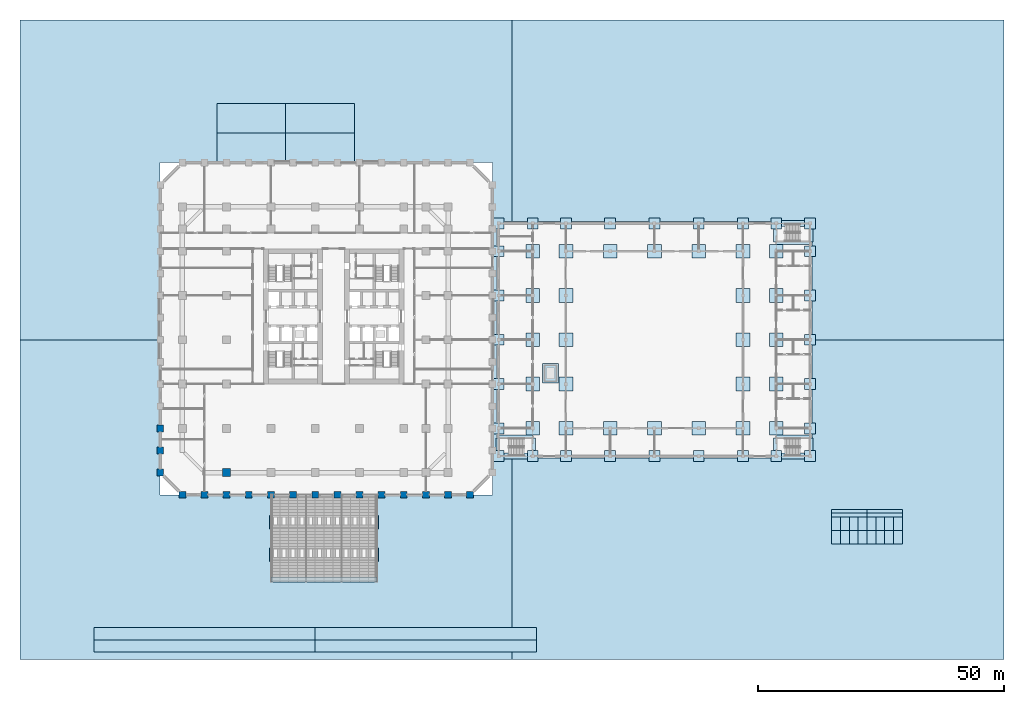
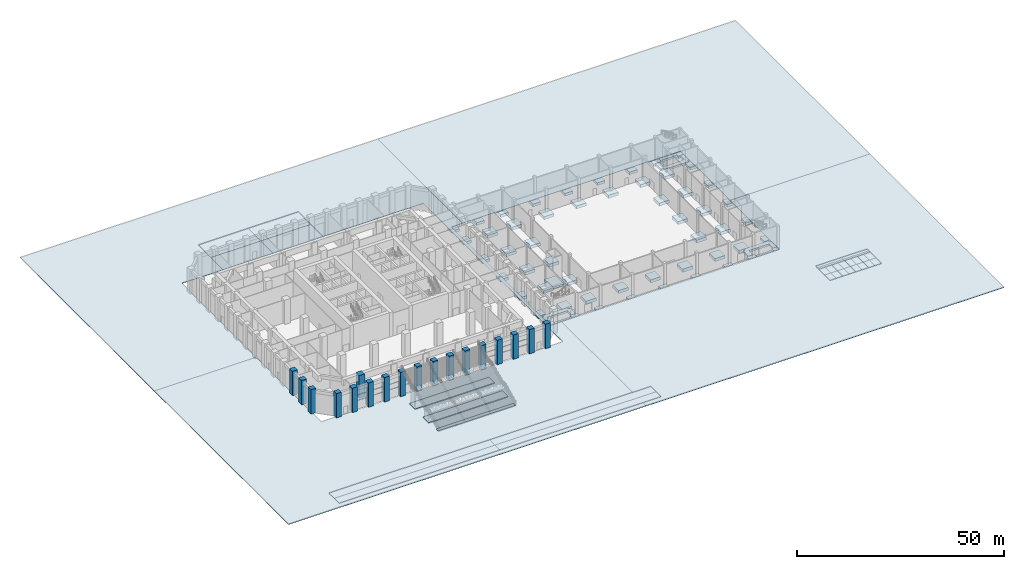
# One storey, part 1 of 30: 96 footings, 18 columns.
"""IFC4 building model written with IfcOpenShell, lengths in metres."""

from ifc_helpers import new_model, si_unit, direction, frame, origin, origin_2d, place, context, subcontext, project, spatial, polyline, rectangle, outline, extrude, material, material_profile, profile_set, type_object, element, save


model = new_model("IFC4")

# Units and contexts
model_context = context("Model", 3, precision=1e-05, world=origin(), true_north=direction((0.0, 1.0)))
body_context = subcontext(model_context, "Body", "Model", "MODEL_VIEW")
ifc_project = project(units=[si_unit("LENGTHUNIT", "METRE"), si_unit("AREAUNIT", "SQUARE_METRE"), si_unit("VOLUMEUNIT", "CUBIC_METRE"), si_unit("PLANEANGLEUNIT", "RADIAN"), si_unit("MASSUNIT", "GRAM", prefix="KILO")], contexts=[model_context])

# Site, building, storey
site_placement = place(None, origin())
site = spatial("IfcSite", under=ifc_project, at=site_placement, CompositionType="ELEMENT")
building_placement = place(site_placement, origin())
building = spatial("IfcBuilding", under=site, at=building_placement, Name="Corbel Stack Research Tower", CompositionType="ELEMENT")
storey_placement = place(building_placement, origin())
storey = spatial("IfcBuildingStorey", under=building, at=storey_placement, Name="L00", CompositionType="ELEMENT", Elevation=0.0)

# Footings
ifc_material_1 = material(Name="Concrete C30/37", Category="concrete")
footing_type_1 = type_object("IfcFootingType", Name="HF1 pad footing 2800 x 2800", PredefinedType="PAD_FOOTING", material=ifc_material_1)
for number, where, z_axis, x_axis, name in (
    (1, (44.199951171875, -18.0, -1.199951171875), (0.0, 0.0, 1.0), (1.0, 0.0, 0.0), "Pad footing H2/HB"),
    (2, (44.199951171875, -9.0, -1.199951171875), (0.0, 0.0, 1.0), (1.0, 0.0, 0.0), "Pad footing H2/HC"),
    (3, (44.199951171875, 0.0, -1.199951171875), (0.0, 0.0, 1.0), (1.0, 0.0, 0.0), "Pad footing H2/HD"),
    (4, (44.199951171875, 9.0, -1.199951171875), (0.0, 0.0, 1.0), (1.0, 0.0, 0.0), "Pad footing H2/HE"),
    (5, (44.199951171875, 18.0, -1.199951171875), (0.0, 0.0, 1.0), (1.0, 0.0, 0.0), "Pad footing H2/HF"),
    (6, (50.949951171875, -18.0, -1.199951171875), (0.0, 0.0, 1.0), (1.0, 0.0, 0.0), "Pad footing H3/HB"),
    (7, (50.949951171875, -9.0, -1.199951171875), (0.0, 0.0, 1.0), (1.0, 0.0, 0.0), "Pad footing H3/HC"),
    (8, (50.949951171875, 0.0, -1.199951171875), (0.0, 0.0, 1.0), (1.0, 0.0, 0.0), "Pad footing H3/HD"),
    (9, (50.949951171875, 9.0, -1.199951171875), (0.0, 0.0, 1.0), (1.0, 0.0, 0.0), "Pad footing H3/HE"),
    (10, (50.949951171875, 18.0, -1.199951171875), (0.0, 0.0, 1.0), (1.0, 0.0, 0.0), "Pad footing H3/HF"),
    (11, (59.949951171875, -18.0, -1.199951171875), (0.0, 0.0, 1.0), (1.0, 0.0, 0.0), "Pad footing H4/HB"),
    (12, (59.949951171875, 18.0, -1.199951171875), (0.0, 0.0, 1.0), (1.0, 0.0, 0.0), "Pad footing H4/HF"),
    (13, (68.949951171875, -18.0, -1.199951171875), (0.0, 0.0, 1.0), (1.0, 0.0, 0.0), "Pad footing H5/HB"),
    (14, (68.949951171875, 18.0, -1.199951171875), (0.0, 0.0, 1.0), (1.0, 0.0, 0.0), "Pad footing H5/HF"),
    (15, (77.949951171875, -18.0, -1.199951171875), (0.0, 0.0, 1.0), (1.0, 0.0, 0.0), "Pad footing H6/HB"),
    (16, (77.949951171875, 18.0, -1.199951171875), (0.0, 0.0, 1.0), (1.0, 0.0, 0.0), "Pad footing H6/HF"),
    (17, (86.949951171875, -18.0, -1.199951171875), (0.0, 0.0, 1.0), (1.0, 0.0, 0.0), "Pad footing H7/HB"),
    (18, (86.949951171875, -9.0, -1.199951171875), (0.0, 0.0, 1.0), (1.0, 0.0, 0.0), "Pad footing H7/HC"),
    (19, (86.949951171875, 0.0, -1.199951171875), (0.0, 0.0, 1.0), (1.0, 0.0, 0.0), "Pad footing H7/HD"),
    (20, (86.949951171875, 9.0, -1.199951171875), (0.0, 0.0, 1.0), (1.0, 0.0, 0.0), "Pad footing H7/HE"),
    (21, (86.949951171875, 18.0, -1.199951171875), (0.0, 0.0, 1.0), (1.0, 0.0, 0.0), "Pad footing H7/HF"),
    (22, (93.699951171875, -18.0, -1.199951171875), (0.0, 0.0, 1.0), (1.0, 0.0, 0.0), "Pad footing H8/HB"),
    (23, (93.699951171875, -9.0, -1.199951171875), (0.0, 0.0, 1.0), (1.0, 0.0, 0.0), "Pad footing H8/HC"),
    (24, (93.699951171875, 0.0, -1.199951171875), (0.0, 0.0, 1.0), (1.0, 0.0, 0.0), "Pad footing H8/HD"),
    (25, (93.699951171875, 9.0, -1.199951171875), (0.0, 0.0, 1.0), (1.0, 0.0, 0.0), "Pad footing H8/HE"),
    (26, (93.699951171875, 18.0, -1.199951171875), (0.0, 0.0, 1.0), (1.0, 0.0, 0.0), "Pad footing H8/HF"),
):
    element("IfcFooting", number, at=place(storey_placement, frame(where, z_axis=z_axis, x_axis=x_axis)), inside=storey, type_object=footing_type_1, Name=name, PredefinedType="PAD_FOOTING", context=body_context, shape_type="SweptSolid", body=[
        extrude(rectangle(XDim=2.800048828125, YDim=2.800048828125, at=origin_2d()), origin(), (0.0, 0.0, 1.0), 0.89990234375),
    ])
ifc_material_2 = material(Name="Concrete C30/37", Category="concrete")
footing_type_2 = type_object("IfcFootingType", Name="HF2 pad footing 2200 x 2200", PredefinedType="PAD_FOOTING", material=ifc_material_2)
for number, where, z_axis, x_axis, name in (
    (27, (37.300048828125, -23.64990234375, -1.10009765625), (0.0, 0.0, 1.0), (1.0, 0.0, 0.0), "Pad footing H1/HA"),
    (28, (37.300048828125, -18.0, -1.10009765625), (0.0, 0.0, 1.0), (1.0, 0.0, 0.0), "Pad footing H1/HB"),
    (29, (37.300048828125, -9.0, -1.10009765625), (0.0, 0.0, 1.0), (1.0, 0.0, 0.0), "Pad footing H1/HC"),
    (30, (37.300048828125, 0.0, -1.10009765625), (0.0, 0.0, 1.0), (1.0, 0.0, 0.0), "Pad footing H1/HD"),
    (31, (37.300048828125, 9.0, -1.10009765625), (0.0, 0.0, 1.0), (1.0, 0.0, 0.0), "Pad footing H1/HE"),
    (32, (37.300048828125, 18.0, -1.10009765625), (0.0, 0.0, 1.0), (1.0, 0.0, 0.0), "Pad footing H1/HF"),
    (33, (37.300048828125, 23.64990234375, -1.10009765625), (0.0, 0.0, 1.0), (1.0, 0.0, 0.0), "Pad footing H1/HG"),
    (34, (44.199951171875, -23.64990234375, -1.10009765625), (0.0, 0.0, 1.0), (1.0, 0.0, 0.0), "Pad footing H2/HA"),
    (35, (44.199951171875, 23.64990234375, -1.10009765625), (0.0, 0.0, 1.0), (1.0, 0.0, 0.0), "Pad footing H2/HG"),
    (36, (50.949951171875, -23.64990234375, -1.10009765625), (0.0, 0.0, 1.0), (1.0, 0.0, 0.0), "Pad footing H3/HA"),
    (37, (50.949951171875, 23.64990234375, -1.10009765625), (0.0, 0.0, 1.0), (1.0, 0.0, 0.0), "Pad footing H3/HG"),
    (38, (59.949951171875, -23.64990234375, -1.10009765625), (0.0, 0.0, 1.0), (1.0, 0.0, 0.0), "Pad footing H4/HA"),
    (39, (59.949951171875, 23.64990234375, -1.10009765625), (0.0, 0.0, 1.0), (1.0, 0.0, 0.0), "Pad footing H4/HG"),
    (40, (68.949951171875, -23.64990234375, -1.10009765625), (0.0, 0.0, 1.0), (1.0, 0.0, 0.0), "Pad footing H5/HA"),
    (41, (68.949951171875, 23.64990234375, -1.10009765625), (0.0, 0.0, 1.0), (1.0, 0.0, 0.0), "Pad footing H5/HG"),
    (42, (77.949951171875, -23.64990234375, -1.10009765625), (0.0, 0.0, 1.0), (1.0, 0.0, 0.0), "Pad footing H6/HA"),
    (43, (77.949951171875, 23.64990234375, -1.10009765625), (0.0, 0.0, 1.0), (1.0, 0.0, 0.0), "Pad footing H6/HG"),
    (44, (86.949951171875, -23.64990234375, -1.10009765625), (0.0, 0.0, 1.0), (1.0, 0.0, 0.0), "Pad footing H7/HA"),
    (45, (86.949951171875, 23.64990234375, -1.10009765625), (0.0, 0.0, 1.0), (1.0, 0.0, 0.0), "Pad footing H7/HG"),
    (46, (93.699951171875, -23.64990234375, -1.10009765625), (0.0, 0.0, 1.0), (1.0, 0.0, 0.0), "Pad footing H8/HA"),
    (47, (93.699951171875, 23.64990234375, -1.10009765625), (0.0, 0.0, 1.0), (1.0, 0.0, 0.0), "Pad footing H8/HG"),
    (48, (100.60009765625, -23.64990234375, -1.10009765625), (0.0, 0.0, 1.0), (1.0, 0.0, 0.0), "Pad footing H9/HA"),
    (49, (100.60009765625, -18.0, -1.10009765625), (0.0, 0.0, 1.0), (1.0, 0.0, 0.0), "Pad footing H9/HB"),
    (50, (100.60009765625, -9.0, -1.10009765625), (0.0, 0.0, 1.0), (1.0, 0.0, 0.0), "Pad footing H9/HC"),
    (51, (100.60009765625, 0.0, -1.10009765625), (0.0, 0.0, 1.0), (1.0, 0.0, 0.0), "Pad footing H9/HD"),
    (52, (100.60009765625, 9.0, -1.10009765625), (0.0, 0.0, 1.0), (1.0, 0.0, 0.0), "Pad footing H9/HE"),
    (53, (100.60009765625, 18.0, -1.10009765625), (0.0, 0.0, 1.0), (1.0, 0.0, 0.0), "Pad footing H9/HF"),
    (54, (100.60009765625, 23.64990234375, -1.10009765625), (0.0, 0.0, 1.0), (1.0, 0.0, 0.0), "Pad footing H9/HG"),
):
    element("IfcFooting", number, at=place(storey_placement, frame(where, z_axis=z_axis, x_axis=x_axis)), inside=storey, type_object=footing_type_2, Name=name, PredefinedType="PAD_FOOTING", context=body_context, shape_type="SweptSolid", body=[
        extrude(rectangle(XDim=2.199951171875, YDim=2.199951171875, at=origin_2d()), origin(), (0.0, 0.0, 1.0), 0.800048828125),
    ])
footing_1_placement = place(storey_placement, frame((47.824951171875, -6.800048828125, -2.0), z_axis=(0.0, 0.0, 1.0), x_axis=(1.0, 0.0, 0.0)))
element("IfcFooting", 55, at=footing_1_placement, inside=storey, type_object=footing_type_2, Name="Lift pit footing", PredefinedType="PAD_FOOTING", context=body_context, shape_type="SweptSolid", body=[
    extrude(rectangle(XDim=3.300048828125, YDim=4.050048828125, at=origin_2d()), origin(), (0.0, 0.0, 1.0), 0.5),
])
ifc_material_3 = material(Name="Concrete C30/37", Category="concrete")
footing_type_3 = type_object("IfcFootingType", Name="HF3 strip footing 1200", PredefinedType="STRIP_FOOTING", material=ifc_material_3)
footing_2_placement = place(storey_placement, frame((0.0, 0.0, -0.89990234375)))
element("IfcFooting", 56, at=footing_2_placement, inside=storey, type_object=footing_type_3, Name="Strip footing under core walls 1", PredefinedType="STRIP_FOOTING", context=body_context, shape_type="SweptSolid", body=[
    extrude(outline(polyline([(36.699951171875, -19.925048828125), (37.300048828125, -19.925048828125), (37.300048828125, -19.324951171875), (42.800048828125, -19.324951171875), (42.800048828125, -19.39990234375), (44.199951171875, -19.39990234375), (44.199951171875, -19.925048828125), (44.800048828125, -19.925048828125), (44.800048828125, -22.550048828125), (43.60009765625, -22.550048828125), (43.60009765625, -20.52490234375), (37.89990234375, -20.52490234375), (37.89990234375, -22.550048828125), (36.699951171875, -22.550048828125), (36.699951171875, -19.925048828125)])), origin(), (0.0, 0.0, 1.0), 0.599853515625),
])
footing_3_placement = place(storey_placement, frame((0.0, 0.0, -0.89990234375)))
element("IfcFooting", 57, at=footing_3_placement, inside=storey, type_object=footing_type_3, Name="Strip footing under core walls 2", PredefinedType="STRIP_FOOTING", context=body_context, shape_type="SweptSolid", body=[
    extrude(outline(polyline([(38.39990234375, -24.25), (38.39990234375, -23.050048828125), (43.10009765625, -23.050048828125), (43.10009765625, -24.25), (38.39990234375, -24.25)])), origin(), (0.0, 0.0, 1.0), 0.599853515625),
])
footing_4_placement = place(storey_placement, frame((0.0, 0.0, -0.89990234375)))
element("IfcFooting", 58, at=footing_4_placement, inside=storey, type_object=footing_type_3, Name="Strip footing under core walls 3", PredefinedType="STRIP_FOOTING", context=body_context, shape_type="SweptSolid", body=[
    extrude(outline(polyline([(93.10009765625, -19.925048828125), (93.699951171875, -19.925048828125), (93.699951171875, -19.39990234375), (95.10009765625, -19.39990234375), (95.10009765625, -19.324951171875), (100.60009765625, -19.324951171875), (100.60009765625, -19.925048828125), (101.199951171875, -19.925048828125), (101.199951171875, -22.550048828125), (100.0, -22.550048828125), (100.0, -20.52490234375), (94.300048828125, -20.52490234375), (94.300048828125, -22.550048828125), (93.10009765625, -22.550048828125), (93.10009765625, -19.925048828125)])), origin(), (0.0, 0.0, 1.0), 0.599853515625),
])
footing_5_placement = place(storey_placement, frame((0.0, 0.0, -0.89990234375)))
element("IfcFooting", 59, at=footing_5_placement, inside=storey, type_object=footing_type_3, Name="Strip footing under core walls 4", PredefinedType="STRIP_FOOTING", context=body_context, shape_type="SweptSolid", body=[
    extrude(outline(polyline([(94.800048828125, -24.25), (94.800048828125, -23.050048828125), (99.5, -23.050048828125), (99.5, -24.25), (94.800048828125, -24.25)])), origin(), (0.0, 0.0, 1.0), 0.599853515625),
])
footing_6_placement = place(storey_placement, frame((0.0, 0.0, -0.89990234375)))
element("IfcFooting", 60, at=footing_6_placement, inside=storey, type_object=footing_type_3, Name="Strip footing under core walls 5", PredefinedType="STRIP_FOOTING", context=body_context, shape_type="SweptSolid", body=[
    extrude(outline(polyline([(99.5, 24.25), (99.5, 23.050048828125), (94.800048828125, 23.050048828125), (94.800048828125, 24.25), (99.5, 24.25)])), origin(), (0.0, 0.0, 1.0), 0.599853515625),
])
footing_7_placement = place(storey_placement, frame((0.0, 0.0, -0.89990234375)))
element("IfcFooting", 61, at=footing_7_placement, inside=storey, type_object=footing_type_3, Name="Strip footing under core walls 6", PredefinedType="STRIP_FOOTING", context=body_context, shape_type="SweptSolid", body=[
    extrude(outline(polyline([(101.199951171875, 19.925048828125), (100.60009765625, 19.925048828125), (100.60009765625, 19.324951171875), (95.10009765625, 19.324951171875), (95.10009765625, 19.39990234375), (93.699951171875, 19.39990234375), (93.699951171875, 19.925048828125), (93.10009765625, 19.925048828125), (93.10009765625, 22.550048828125), (94.300048828125, 22.550048828125), (94.300048828125, 20.52490234375), (100.0, 20.52490234375), (100.0, 22.550048828125), (101.199951171875, 22.550048828125), (101.199951171875, 19.925048828125)])), origin(), (0.0, 0.0, 1.0), 0.599853515625),
])
ifc_material_4 = material(Name="Concrete C30/37", Category="concrete")
footing_type_4 = type_object("IfcFootingType", Name="SF1 stair support footing", PredefinedType="STRIP_FOOTING", material=ifc_material_4)
footing_8_placement = place(storey_placement, frame((0.0, 0.0, -0.800048828125)))
element("IfcFooting", 62, at=footing_8_placement, inside=storey, type_object=footing_type_4, Name="Garden stair toe footing", PredefinedType="STRIP_FOOTING", context=body_context, shape_type="SweptSolid", body=[
    extrude(outline(polyline([(-9.0, -49.199951171875), (12.60009765625, -49.199951171875), (12.60009765625, -48.199951171875), (-9.0, -48.199951171875), (-9.0, -49.199951171875)])), origin(), (0.0, 0.0, 1.0), 0.800048828125),
])
footing_9_placement = place(storey_placement, frame((0.0, 0.0, -0.800048828125)))
element("IfcFooting", 63, at=footing_9_placement, inside=storey, type_object=footing_type_4, Name="Garden stair support footing 1", PredefinedType="STRIP_FOOTING", context=body_context, shape_type="SweptSolid", body=[
    extrude(outline(polyline([(-9.300048828125, -45.030029296875), (12.89990234375, -45.030029296875), (12.89990234375, -42.27001953125), (-9.300048828125, -42.27001953125), (-9.300048828125, -45.030029296875)])), origin(), (0.0, 0.0, 1.0), 0.800048828125),
])
footing_10_placement = place(storey_placement, frame((0.0, 0.0, -0.800048828125)))
element("IfcFooting", 64, at=footing_10_placement, inside=storey, type_object=footing_type_4, Name="Garden stair support footing 2", PredefinedType="STRIP_FOOTING", context=body_context, shape_type="SweptSolid", body=[
    extrude(outline(polyline([(-9.300048828125, -38.429931640625), (12.89990234375, -38.429931640625), (12.89990234375, -35.669921875), (-9.300048828125, -35.669921875), (-9.300048828125, -38.429931640625)])), origin(), (0.0, 0.0, 1.0), 0.800048828125),
])
ifc_material_5 = material(Name="Concrete C20/25", Category="concrete")
footing_type_5 = type_object("IfcFootingType", Name="SF2 paving sub-base 100", PredefinedType="PAD_FOOTING", material=ifc_material_5)
footing_11_placement = place(storey_placement, frame((0.0, 0.0, -0.300048828125)))
element("IfcFooting", 65, at=footing_11_placement, inside=storey, type_object=footing_type_5, Name="Paving sub-base Plaza paving 1", PredefinedType="PAD_FOOTING", context=body_context, shape_type="SweptSolid", body=[
    extrude(outline(polyline([(40.0, -65.0), (-60.0, -65.0), (-60.0, 0.0), (-31.5, 0.0), (-31.5, -31.5), (36.0, -31.5), (36.0, 0.0), (36.89990234375, 0.0), (36.89990234375, -24.0), (36.949951171875, -24.0), (40.0, -24.0), (40.0, -58.5), (-45.0, -58.5), (-45.0, -63.5), (40.0, -63.5), (40.0, -65.0)]), holes=[polyline([(-9.300048828125, -45.030029296875), (12.89990234375, -45.030029296875), (12.89990234375, -42.27001953125), (-9.300048828125, -42.27001953125), (-9.300048828125, -45.030029296875)]), polyline([(-9.300048828125, -38.429931640625), (12.89990234375, -38.429931640625), (12.89990234375, -35.669921875), (-9.300048828125, -35.669921875), (-9.300048828125, -38.429931640625)]), polyline([(-9.0, -49.199951171875), (12.60009765625, -49.199951171875), (12.60009765625, -48.199951171875), (-9.0, -48.199951171875), (-9.0, -49.199951171875)])]), origin(), (0.0, 0.0, 1.0), 0.10009765625),
])
footing_12_placement = place(storey_placement, frame((0.0, 0.0, -0.300048828125)))
element("IfcFooting", 66, at=footing_12_placement, inside=storey, type_object=footing_type_5, Name="Paving sub-base Plaza paving 2", PredefinedType="PAD_FOOTING", context=body_context, shape_type="SweptSolid", body=[
    extrude(outline(polyline([(40.0, 24.0), (36.949951171875, 24.0), (36.89990234375, 24.0), (36.89990234375, 0.0), (36.0, 0.0), (36.0, 36.0), (8.0, 36.0), (8.0, 48.0), (-20.0, 48.0), (-20.0, 36.0), (-31.5, 36.0), (-31.5, 0.0), (-60.0, 0.0), (-60.0, 65.0), (40.0, 65.0), (40.0, 24.0)])), origin(), (0.0, 0.0, 1.0), 0.10009765625),
])
footing_13_placement = place(storey_placement, frame((0.0, 0.0, -0.300048828125)))
element("IfcFooting", 67, at=footing_13_placement, inside=storey, type_object=footing_type_5, Name="Paving sub-base Plaza paving 3", PredefinedType="PAD_FOOTING", context=body_context, shape_type="SweptSolid", body=[
    extrude(outline(polyline([(140.0, -65.0), (40.0, -65.0), (40.0, -63.5), (45.0, -63.5), (45.0, -58.5), (40.0, -58.5), (40.0, -24.0), (100.949951171875, -24.0), (100.949951171875, 0.0), (140.0, 0.0), (140.0, -65.0)]), holes=[polyline([(115.75, -41.5), (119.35009765625, -41.5), (119.35009765625, -36.0), (119.35009765625, -34.5), (104.949951171875, -34.5), (104.949951171875, -36.0), (104.949951171875, -41.5), (108.550048828125, -41.5), (112.14990234375, -41.5), (115.75, -41.5)])]), origin(), (0.0, 0.0, 1.0), 0.10009765625),
])
footing_14_placement = place(storey_placement, frame((0.0, 0.0, -0.300048828125)))
element("IfcFooting", 68, at=footing_14_placement, inside=storey, type_object=footing_type_5, Name="Paving sub-base Plaza paving 4", PredefinedType="PAD_FOOTING", context=body_context, shape_type="SweptSolid", body=[
    extrude(outline(polyline([(140.0, 0.0), (100.949951171875, 0.0), (100.949951171875, 24.0), (40.0, 24.0), (40.0, 65.0), (140.0, 65.0), (140.0, 0.0)])), origin(), (0.0, 0.0, 1.0), 0.10009765625),
])
footing_15_placement = place(storey_placement, frame((0.0, 0.0, -0.300048828125)))
element("IfcFooting", 69, at=footing_15_placement, inside=storey, type_object=footing_type_5, Name="Paving sub-base Accessible bay 1 1", PredefinedType="PAD_FOOTING", context=body_context, shape_type="SweptSolid", body=[
    extrude(outline(polyline([(106.75, -38.75), (106.75, -41.5), (104.949951171875, -41.5), (104.949951171875, -38.75), (106.75, -38.75)])), origin(), (0.0, 0.0, 1.0), 0.10009765625),
])
footing_16_placement = place(storey_placement, frame((0.0, 0.0, -0.300048828125)))
element("IfcFooting", 70, at=footing_16_placement, inside=storey, type_object=footing_type_5, Name="Paving sub-base Accessible bay 1 2", PredefinedType="PAD_FOOTING", context=body_context, shape_type="SweptSolid", body=[
    extrude(outline(polyline([(106.75, -38.75), (104.949951171875, -38.75), (104.949951171875, -36.0), (106.75, -36.0), (106.75, -38.75)])), origin(), (0.0, 0.0, 1.0), 0.10009765625),
])
footing_17_placement = place(storey_placement, frame((0.0, 0.0, -0.300048828125)))
element("IfcFooting", 71, at=footing_17_placement, inside=storey, type_object=footing_type_5, Name="Paving sub-base Accessible bay 1 3", PredefinedType="PAD_FOOTING", context=body_context, shape_type="SweptSolid", body=[
    extrude(outline(polyline([(108.550048828125, -41.5), (106.75, -41.5), (106.75, -38.75), (108.550048828125, -38.75), (108.550048828125, -41.5)])), origin(), (0.0, 0.0, 1.0), 0.10009765625),
])
footing_18_placement = place(storey_placement, frame((0.0, 0.0, -0.300048828125)))
element("IfcFooting", 72, at=footing_18_placement, inside=storey, type_object=footing_type_5, Name="Paving sub-base Accessible bay 1 4", PredefinedType="PAD_FOOTING", context=body_context, shape_type="SweptSolid", body=[
    extrude(outline(polyline([(108.550048828125, -38.75), (106.75, -38.75), (106.75, -36.0), (108.550048828125, -36.0), (108.550048828125, -38.75)])), origin(), (0.0, 0.0, 1.0), 0.10009765625),
])
footing_19_placement = place(storey_placement, frame((0.0, 0.0, -0.300048828125)))
element("IfcFooting", 73, at=footing_19_placement, inside=storey, type_object=footing_type_5, Name="Paving sub-base Accessible bay 2 1", PredefinedType="PAD_FOOTING", context=body_context, shape_type="SweptSolid", body=[
    extrude(outline(polyline([(110.35009765625, -38.75), (110.35009765625, -41.5), (108.550048828125, -41.5), (108.550048828125, -38.75), (110.35009765625, -38.75)])), origin(), (0.0, 0.0, 1.0), 0.10009765625),
])
footing_20_placement = place(storey_placement, frame((0.0, 0.0, -0.300048828125)))
element("IfcFooting", 74, at=footing_20_placement, inside=storey, type_object=footing_type_5, Name="Paving sub-base Accessible bay 2 2", PredefinedType="PAD_FOOTING", context=body_context, shape_type="SweptSolid", body=[
    extrude(outline(polyline([(110.35009765625, -38.75), (108.550048828125, -38.75), (108.550048828125, -36.0), (110.35009765625, -36.0), (110.35009765625, -38.75)])), origin(), (0.0, 0.0, 1.0), 0.10009765625),
])
footing_21_placement = place(storey_placement, frame((0.0, 0.0, -0.300048828125)))
element("IfcFooting", 75, at=footing_21_placement, inside=storey, type_object=footing_type_5, Name="Paving sub-base Accessible bay 2 3", PredefinedType="PAD_FOOTING", context=body_context, shape_type="SweptSolid", body=[
    extrude(outline(polyline([(112.14990234375, -41.5), (110.35009765625, -41.5), (110.35009765625, -38.75), (112.14990234375, -38.75), (112.14990234375, -41.5)])), origin(), (0.0, 0.0, 1.0), 0.10009765625),
])
footing_22_placement = place(storey_placement, frame((0.0, 0.0, -0.300048828125)))
element("IfcFooting", 76, at=footing_22_placement, inside=storey, type_object=footing_type_5, Name="Paving sub-base Accessible bay 2 4", PredefinedType="PAD_FOOTING", context=body_context, shape_type="SweptSolid", body=[
    extrude(outline(polyline([(112.14990234375, -38.75), (110.35009765625, -38.75), (110.35009765625, -36.0), (112.14990234375, -36.0), (112.14990234375, -38.75)])), origin(), (0.0, 0.0, 1.0), 0.10009765625),
])
footing_23_placement = place(storey_placement, frame((0.0, 0.0, -0.300048828125)))
element("IfcFooting", 77, at=footing_23_placement, inside=storey, type_object=footing_type_5, Name="Paving sub-base Accessible bay 3 1", PredefinedType="PAD_FOOTING", context=body_context, shape_type="SweptSolid", body=[
    extrude(outline(polyline([(113.949951171875, -38.75), (113.949951171875, -41.5), (112.14990234375, -41.5), (112.14990234375, -38.75), (113.949951171875, -38.75)])), origin(), (0.0, 0.0, 1.0), 0.10009765625),
])
footing_24_placement = place(storey_placement, frame((0.0, 0.0, -0.300048828125)))
element("IfcFooting", 78, at=footing_24_placement, inside=storey, type_object=footing_type_5, Name="Paving sub-base Accessible bay 3 2", PredefinedType="PAD_FOOTING", context=body_context, shape_type="SweptSolid", body=[
    extrude(outline(polyline([(113.949951171875, -38.75), (112.14990234375, -38.75), (112.14990234375, -36.0), (113.949951171875, -36.0), (113.949951171875, -38.75)])), origin(), (0.0, 0.0, 1.0), 0.10009765625),
])
footing_25_placement = place(storey_placement, frame((0.0, 0.0, -0.300048828125)))
element("IfcFooting", 79, at=footing_25_placement, inside=storey, type_object=footing_type_5, Name="Paving sub-base Accessible bay 3 3", PredefinedType="PAD_FOOTING", context=body_context, shape_type="SweptSolid", body=[
    extrude(outline(polyline([(115.75, -41.5), (113.949951171875, -41.5), (113.949951171875, -38.75), (115.75, -38.75), (115.75, -41.5)])), origin(), (0.0, 0.0, 1.0), 0.10009765625),
])
footing_26_placement = place(storey_placement, frame((0.0, 0.0, -0.300048828125)))
element("IfcFooting", 80, at=footing_26_placement, inside=storey, type_object=footing_type_5, Name="Paving sub-base Accessible bay 3 4", PredefinedType="PAD_FOOTING", context=body_context, shape_type="SweptSolid", body=[
    extrude(outline(polyline([(115.75, -38.75), (113.949951171875, -38.75), (113.949951171875, -36.0), (115.75, -36.0), (115.75, -38.75)])), origin(), (0.0, 0.0, 1.0), 0.10009765625),
])
footing_27_placement = place(storey_placement, frame((0.0, 0.0, -0.300048828125)))
element("IfcFooting", 81, at=footing_27_placement, inside=storey, type_object=footing_type_5, Name="Paving sub-base Accessible bay 4 1", PredefinedType="PAD_FOOTING", context=body_context, shape_type="SweptSolid", body=[
    extrude(outline(polyline([(117.550048828125, -38.75), (117.550048828125, -41.5), (115.75, -41.5), (115.75, -38.75), (117.550048828125, -38.75)])), origin(), (0.0, 0.0, 1.0), 0.10009765625),
])
footing_28_placement = place(storey_placement, frame((0.0, 0.0, -0.300048828125)))
element("IfcFooting", 82, at=footing_28_placement, inside=storey, type_object=footing_type_5, Name="Paving sub-base Accessible bay 4 2", PredefinedType="PAD_FOOTING", context=body_context, shape_type="SweptSolid", body=[
    extrude(outline(polyline([(117.550048828125, -38.75), (115.75, -38.75), (115.75, -36.0), (117.550048828125, -36.0), (117.550048828125, -38.75)])), origin(), (0.0, 0.0, 1.0), 0.10009765625),
])
footing_29_placement = place(storey_placement, frame((0.0, 0.0, -0.300048828125)))
element("IfcFooting", 83, at=footing_29_placement, inside=storey, type_object=footing_type_5, Name="Paving sub-base Accessible bay 4 3", PredefinedType="PAD_FOOTING", context=body_context, shape_type="SweptSolid", body=[
    extrude(outline(polyline([(119.35009765625, -41.5), (117.550048828125, -41.5), (117.550048828125, -38.75), (119.35009765625, -38.75), (119.35009765625, -41.5)])), origin(), (0.0, 0.0, 1.0), 0.10009765625),
])
footing_30_placement = place(storey_placement, frame((0.0, 0.0, -0.300048828125)))
element("IfcFooting", 84, at=footing_30_placement, inside=storey, type_object=footing_type_5, Name="Paving sub-base Accessible bay 4 4", PredefinedType="PAD_FOOTING", context=body_context, shape_type="SweptSolid", body=[
    extrude(outline(polyline([(119.35009765625, -38.75), (117.550048828125, -38.75), (117.550048828125, -36.0), (119.35009765625, -36.0), (119.35009765625, -38.75)])), origin(), (0.0, 0.0, 1.0), 0.10009765625),
])
footing_31_placement = place(storey_placement, frame((0.0, 0.0, -0.300048828125)))
element("IfcFooting", 85, at=footing_31_placement, inside=storey, type_object=footing_type_5, Name="Paving sub-base Accessible bay access aisle 1", PredefinedType="PAD_FOOTING", context=body_context, shape_type="SweptSolid", body=[
    extrude(outline(polyline([(112.14990234375, -35.25), (112.14990234375, -36.0), (104.949951171875, -36.0), (104.949951171875, -35.25), (112.14990234375, -35.25)])), origin(), (0.0, 0.0, 1.0), 0.10009765625),
])
footing_32_placement = place(storey_placement, frame((0.0, 0.0, -0.300048828125)))
element("IfcFooting", 86, at=footing_32_placement, inside=storey, type_object=footing_type_5, Name="Paving sub-base Accessible bay access aisle 2", PredefinedType="PAD_FOOTING", context=body_context, shape_type="SweptSolid", body=[
    extrude(outline(polyline([(112.14990234375, -35.25), (104.949951171875, -35.25), (104.949951171875, -34.5), (112.14990234375, -34.5), (112.14990234375, -35.25)])), origin(), (0.0, 0.0, 1.0), 0.10009765625),
])
footing_33_placement = place(storey_placement, frame((0.0, 0.0, -0.300048828125)))
element("IfcFooting", 87, at=footing_33_placement, inside=storey, type_object=footing_type_5, Name="Paving sub-base Accessible bay access aisle 3", PredefinedType="PAD_FOOTING", context=body_context, shape_type="SweptSolid", body=[
    extrude(outline(polyline([(119.35009765625, -36.0), (112.14990234375, -36.0), (112.14990234375, -35.25), (119.35009765625, -35.25), (119.35009765625, -36.0)])), origin(), (0.0, 0.0, 1.0), 0.10009765625),
])
footing_34_placement = place(storey_placement, frame((0.0, 0.0, -0.300048828125)))
element("IfcFooting", 88, at=footing_34_placement, inside=storey, type_object=footing_type_5, Name="Paving sub-base Accessible bay access aisle 4", PredefinedType="PAD_FOOTING", context=body_context, shape_type="SweptSolid", body=[
    extrude(outline(polyline([(119.35009765625, -35.25), (112.14990234375, -35.25), (112.14990234375, -34.5), (119.35009765625, -34.5), (119.35009765625, -35.25)])), origin(), (0.0, 0.0, 1.0), 0.10009765625),
])
footing_35_placement = place(storey_placement, frame((0.0, 0.0, -0.300048828125)))
element("IfcFooting", 89, at=footing_35_placement, inside=storey, type_object=footing_type_5, Name="Paving sub-base Drop-off lane 1", PredefinedType="PAD_FOOTING", context=body_context, shape_type="SweptSolid", body=[
    extrude(outline(polyline([(0.0, -61.0), (0.0, -63.5), (-45.0, -63.5), (-45.0, -61.0), (0.0, -61.0)])), origin(), (0.0, 0.0, 1.0), 0.10009765625),
])
footing_36_placement = place(storey_placement, frame((0.0, 0.0, -0.300048828125)))
element("IfcFooting", 90, at=footing_36_placement, inside=storey, type_object=footing_type_5, Name="Paving sub-base Drop-off lane 2", PredefinedType="PAD_FOOTING", context=body_context, shape_type="SweptSolid", body=[
    extrude(outline(polyline([(0.0, -61.0), (-45.0, -61.0), (-45.0, -58.5), (0.0, -58.5), (0.0, -61.0)])), origin(), (0.0, 0.0, 1.0), 0.10009765625),
])
footing_37_placement = place(storey_placement, frame((0.0, 0.0, -0.300048828125)))
element("IfcFooting", 91, at=footing_37_placement, inside=storey, type_object=footing_type_5, Name="Paving sub-base Drop-off lane 3", PredefinedType="PAD_FOOTING", context=body_context, shape_type="SweptSolid", body=[
    extrude(outline(polyline([(45.0, -63.5), (0.0, -63.5), (0.0, -61.0), (45.0, -61.0), (45.0, -63.5)])), origin(), (0.0, 0.0, 1.0), 0.10009765625),
])
footing_38_placement = place(storey_placement, frame((0.0, 0.0, -0.300048828125)))
element("IfcFooting", 92, at=footing_38_placement, inside=storey, type_object=footing_type_5, Name="Paving sub-base Drop-off lane 4", PredefinedType="PAD_FOOTING", context=body_context, shape_type="SweptSolid", body=[
    extrude(outline(polyline([(45.0, -61.0), (0.0, -61.0), (0.0, -58.5), (45.0, -58.5), (45.0, -61.0)])), origin(), (0.0, 0.0, 1.0), 0.10009765625),
])
footing_39_placement = place(storey_placement, frame((0.0, 0.0, -0.300048828125)))
element("IfcFooting", 93, at=footing_39_placement, inside=storey, type_object=footing_type_5, Name="Paving sub-base Loading dock apron 1", PredefinedType="PAD_FOOTING", context=body_context, shape_type="SweptSolid", body=[
    extrude(outline(polyline([(-6.0, 42.0), (-6.0, 36.0), (-20.0, 36.0), (-20.0, 42.0), (-6.0, 42.0)])), origin(), (0.0, 0.0, 1.0), 0.050048828125),
])
footing_40_placement = place(storey_placement, frame((0.0, 0.0, -0.300048828125)))
element("IfcFooting", 94, at=footing_40_placement, inside=storey, type_object=footing_type_5, Name="Paving sub-base Loading dock apron 2", PredefinedType="PAD_FOOTING", context=body_context, shape_type="SweptSolid", body=[
    extrude(outline(polyline([(-6.0, 42.0), (-20.0, 42.0), (-20.0, 48.0), (-6.0, 48.0), (-6.0, 42.0)])), origin(), (0.0, 0.0, 1.0), 0.050048828125),
])
footing_41_placement = place(storey_placement, frame((0.0, 0.0, -0.300048828125)))
element("IfcFooting", 95, at=footing_41_placement, inside=storey, type_object=footing_type_5, Name="Paving sub-base Loading dock apron 3", PredefinedType="PAD_FOOTING", context=body_context, shape_type="SweptSolid", body=[
    extrude(outline(polyline([(8.0, 36.0), (-6.0, 36.0), (-6.0, 42.0), (8.0, 42.0), (8.0, 36.0)])), origin(), (0.0, 0.0, 1.0), 0.050048828125),
])
footing_42_placement = place(storey_placement, frame((0.0, 0.0, -0.300048828125)))
element("IfcFooting", 96, at=footing_42_placement, inside=storey, type_object=footing_type_5, Name="Paving sub-base Loading dock apron 4", PredefinedType="PAD_FOOTING", context=body_context, shape_type="SweptSolid", body=[
    extrude(outline(polyline([(8.0, 42.0), (-6.0, 42.0), (-6.0, 48.0), (8.0, 48.0), (8.0, 42.0)])), origin(), (0.0, 0.0, 1.0), 0.050048828125),
])

# Columns
ifc_material_6 = material(Name="Concrete C70/85", Category="concrete")
ifc_material_profile_1 = material_profile(ifc_material_6, rectangle(XDim=1.39990234375, YDim=1.39990234375, at=origin_2d()), Name="RC 1400 x 1400")
ifc_profile_set_1 = profile_set([ifc_material_profile_1], Name="Concrete C70/85")
column_type_1 = type_object("IfcColumnType", Name="C-1400-70", PredefinedType="COLUMN", material=ifc_profile_set_1)
for number, where, z_axis, x_axis, name in (
    (97, (-31.5, -27.0, 0.0), (0.0, 0.0, 1.0), (1.0, 0.0, 0.0), "Column 1/B L00"),
    (98, (-31.5, -22.5, 0.0), (0.0, 0.0, 1.0), (1.0, 0.0, 0.0), "Column 1/C L00"),
    (99, (-31.5, -18.0, 0.0), (0.0, 0.0, 1.0), (1.0, 0.0, 0.0), "Column 1/D L00"),
    (100, (-27.0, -31.5, 0.0), (0.0, 0.0, 1.0), (1.0, 0.0, 0.0), "Column 2/A L00"),
    (101, (-22.5, -31.5, 0.0), (0.0, 0.0, 1.0), (1.0, 0.0, 0.0), "Column 3/A L00"),
    (102, (-18.0, -31.5, 0.0), (0.0, 0.0, 1.0), (1.0, 0.0, 0.0), "Column 4/A L00"),
    (103, (-13.5, -31.5, 0.0), (0.0, 0.0, 1.0), (1.0, 0.0, 0.0), "Column 5/A L00"),
    (104, (-9.0, -31.5, 0.0), (0.0, 0.0, 1.0), (1.0, 0.0, 0.0), "Column 6/A L00"),
    (105, (-4.5, -31.5, 0.0), (0.0, 0.0, 1.0), (1.0, 0.0, 0.0), "Column 7/A L00"),
    (106, (0.0, -31.5, 0.0), (0.0, 0.0, 1.0), (1.0, 0.0, 0.0), "Column 8/A L00"),
    (107, (4.5, -31.5, 0.0), (0.0, 0.0, 1.0), (1.0, 0.0, 0.0), "Column 9/A L00"),
    (108, (9.0, -31.5, 0.0), (0.0, 0.0, 1.0), (1.0, 0.0, 0.0), "Column 10/A L00"),
    (109, (13.5, -31.5, 0.0), (0.0, 0.0, 1.0), (1.0, 0.0, 0.0), "Column 11/A L00"),
    (110, (18.0, -31.5, 0.0), (0.0, 0.0, 1.0), (1.0, 0.0, 0.0), "Column 12/A L00"),
    (111, (22.5, -31.5, 0.0), (0.0, 0.0, 1.0), (1.0, 0.0, 0.0), "Column 13/A L00"),
    (112, (27.0, -31.5, 0.0), (0.0, 0.0, 1.0), (1.0, 0.0, 0.0), "Column 14/A L00"),
    (113, (31.5, -31.5, 0.0), (0.0, 0.0, 1.0), (1.0, 0.0, 0.0), "Column 15/A L00"),
):
    element("IfcColumn", number, at=place(storey_placement, frame(where, z_axis=z_axis, x_axis=x_axis)), inside=storey, type_object=column_type_1, Name=name, PredefinedType="COLUMN", context=body_context, shape_type="SweptSolid", body=[
        extrude(rectangle(XDim=1.39990234375, YDim=1.39990234375, at=origin_2d()), origin(), (0.0, 0.0, 1.0), 7.199951171875),
    ])
ifc_material_7 = material(Name="Concrete C70/85", Category="concrete")
ifc_material_profile_2 = material_profile(ifc_material_7, rectangle(XDim=1.60009765625, YDim=1.60009765625, at=origin_2d()), Name="RC 1600 x 1600")
ifc_profile_set_2 = profile_set([ifc_material_profile_2], Name="Concrete C70/85")
column_type_2 = type_object("IfcColumnType", Name="CG-1600-70-450", PredefinedType="COLUMN", material=ifc_profile_set_2)
column_placement = place(storey_placement, frame((-18.0, -27.0, 0.0), z_axis=(0.0, 0.0, 1.0), x_axis=(1.0, 0.0, 0.0)))
element("IfcColumn", 114, at=column_placement, inside=storey, type_object=column_type_2, Name="Column 4/B L00", PredefinedType="COLUMN", context=body_context, shape_type="SweptSolid", body=[
    extrude(rectangle(XDim=1.60009765625, YDim=1.60009765625, at=origin_2d()), origin(), (0.0, 0.0, 1.0), 6.75),
])

save(model, "model.ifc")
